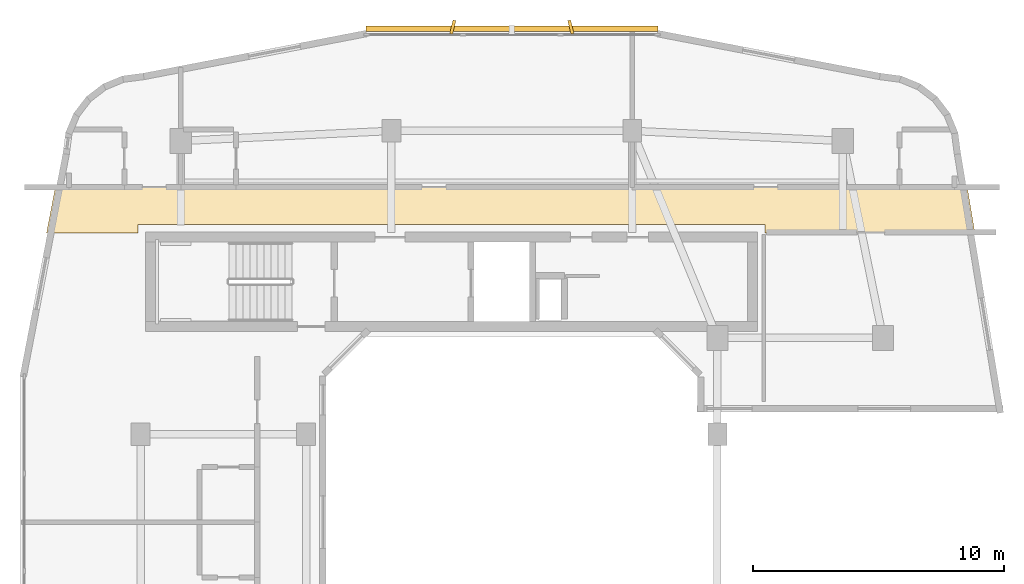
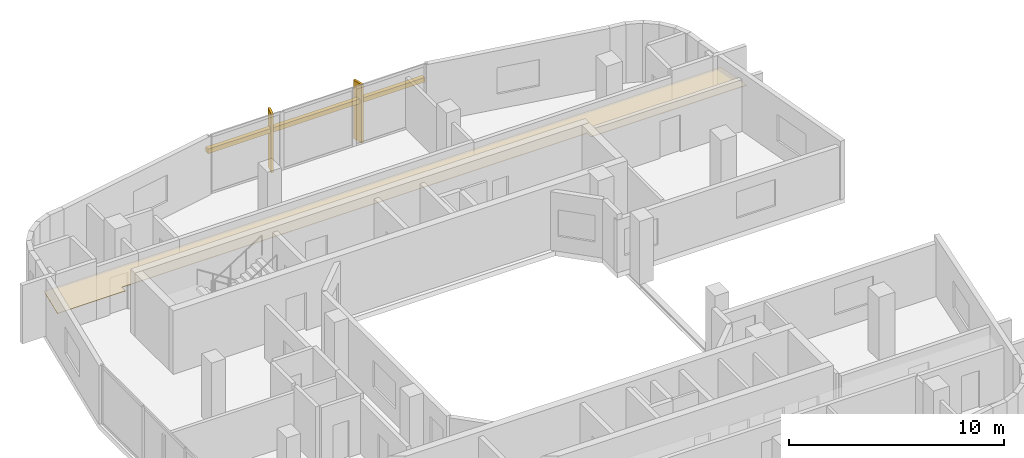
# One storey, part 12 of 12: 3 shading devices, 1 covering.
"""IFC4 building model written with IfcOpenShell, lengths in metres."""

from ifc_helpers import new_model, si_unit, derived_unit, direction, frame, origin, origin_2d, place, context, subcontext, project, spatial, polyline, rectangle, outline, extrude, material, layer, layer_set, type_object, element, save


model = new_model("IFC4")

# Units and contexts
model_context = context("Model", 3, precision=1e-05, world=origin(), true_north=direction((0.0, 1.0)))
body_context = subcontext(model_context, "Body", "Model", "MODEL_VIEW")
ifc_project = project(units=[si_unit("LENGTHUNIT", "METRE"), si_unit("AREAUNIT", "SQUARE_METRE"), si_unit("VOLUMEUNIT", "CUBIC_METRE"), si_unit("PLANEANGLEUNIT", "RADIAN"), si_unit("MASSUNIT", "GRAM", prefix="KILO"), derived_unit("THERMALTRANSMITTANCEUNIT", [(si_unit("POWERUNIT", "WATT"), 1), (si_unit("LENGTHUNIT", "METRE"), -2), (si_unit("THERMODYNAMICTEMPERATUREUNIT", "KELVIN"), -1)])], contexts=[model_context])

# Site, building, storey
site_placement = place(None, origin())
site = spatial("IfcSite", under=ifc_project, at=site_placement, CompositionType="ELEMENT")
building_placement = place(site_placement, origin())
building = spatial("IfcBuilding", under=site, at=building_placement, Name="Kivonza Crest Hotel", CompositionType="ELEMENT")
storey_placement = place(building_placement, frame((0.0, 0.0, 191.89990234375)))
storey = spatial("IfcBuildingStorey", under=building, at=storey_placement, Name="L52", CompositionType="ELEMENT", Elevation=191.89990234375)

# Covering
ifc_material_1 = material(Name="Moisture-resistant gypsum plasterboard ceiling", Category="gypsum")
ifc_layer = layer(ifc_material_1, 0.030029296875)
ifc_layer_set = layer_set([ifc_layer], Name="Moisture-resistant gypsum plasterboard ceiling")
covering_type = type_object("IfcCoveringType", Name="CV-CEIL-GYP", PredefinedType="CEILING", material=ifc_layer_set)
covering_placement = place(storey_placement, frame((0.0, 0.0, 2.4501953125)))
element("IfcCovering", 1, at=covering_placement, inside=storey, type_object=covering_type, Name="L52 Hotel North Guest Corridor suspended ceiling", PredefinedType="CEILING", context=body_context, shape_type="SweptSolid", body=[
    extrude(outline(polyline([(2.806884765625, 38.389892578125), (2.447021484375, 36.52001953125), (6.10009765625, 36.52001953125), (6.10009765625, 36.860107421875), (31.10009765625, 36.860107421875), (31.10009765625, 36.52001953125), (39.465087890625, 36.52001953125), (39.156982421875, 38.389892578125), (2.806884765625, 38.389892578125)])), origin(), (0.0, 0.0, 1.0), 0.02978515625),
])

# Shading devices
ifc_material_2 = material(Name="Kiln-fired Nairobi red-ochre terracotta", Category="masonry")
shading_device_type_1 = type_object("IfcShadingDeviceType", Name="SH-BAGUETTE-300", PredefinedType="USERDEFINED", material=ifc_material_2)
shading_device_placement = place(storey_placement, frame((21.0, 44.679931640625, 2.1943359375), z_axis=(0.0, 0.0, 1.0), x_axis=(-1.0, 0.0, 0.0)))
element("IfcShadingDevice", 2, at=shading_device_placement, inside=storey, type_object=shading_device_type_1, Name="L52 terracotta baguette screen CW-T1-L52-36", ObjectType="BAGUETTE", PredefinedType="USERDEFINED", context=body_context, shape_type="SweptSolid", body=[
    extrude(rectangle(XDim=11.639892578125, YDim=0.219970703125, at=origin_2d()), origin(), (0.0, 0.0, 1.0), 0.260009765625),
])
ifc_material_3 = material(Name="Kiln-fired terracotta over extruded aluminium spine", Category="masonry")
shading_device_type_2 = type_object("IfcShadingDeviceType", Name="SH-FIN-550", PredefinedType="USERDEFINED", material=ifc_material_3)
for number, where, z_axis, x_axis, name in (
    (3, (23.35205078125, 44.739990234375, 0.0), (0.0, 0.0, 1.0), (-0.970295726276, -0.2419218956, 0.0), "L52 vertical solar shading fin CW-T1-L52-36-1"),
    (4, (18.64794921875, 44.739990234375, 0.0), (0.0, 0.0, 1.0), (-0.970295726276, 0.2419218956, 0.0), "L52 vertical solar shading fin CW-T1-L52-36-2"),
):
    element("IfcShadingDevice", number, at=place(storey_placement, frame(where, z_axis=z_axis, x_axis=x_axis)), inside=storey, type_object=shading_device_type_2, Name=name, ObjectType="FIN", PredefinedType="USERDEFINED", context=body_context, shape_type="SweptSolid", body=[
        extrude(rectangle(XDim=0.1201171875, YDim=0.550048828125, at=origin_2d()), origin(), (0.0, 0.0, 1.0), 3.320068359375),
    ])

save(model, "model.ifc")
